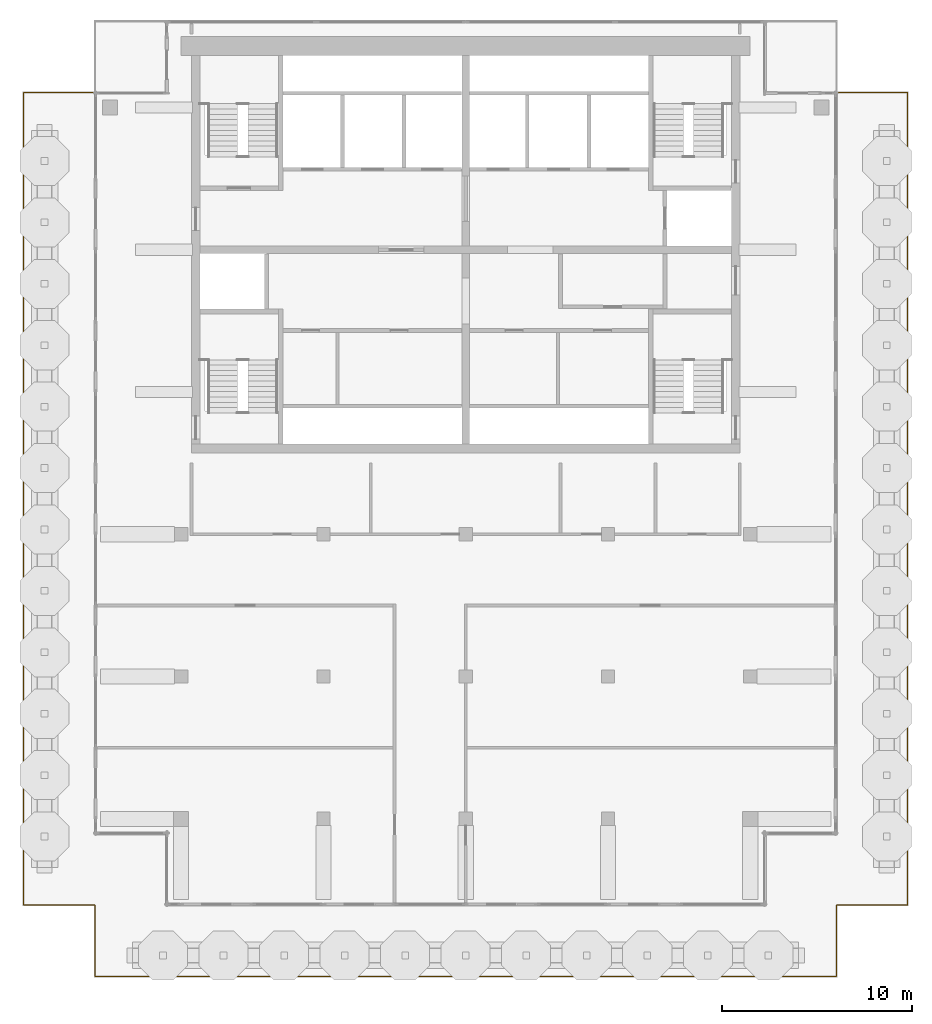
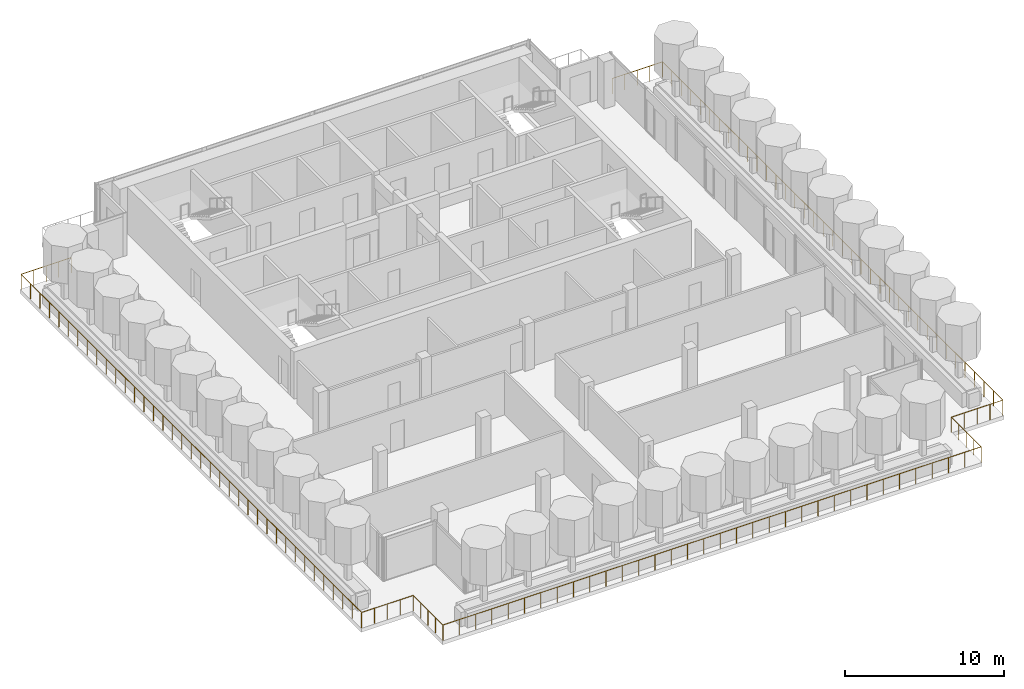
# One storey, part 13 of 15: 1 railing.
"""IFC4 building model written with IfcOpenShell, lengths in metres."""

from ifc_helpers import new_model, si_unit, direction, frame, origin, origin_2d, place, context, subcontext, project, spatial, circle, extrude, material, type_object, element, save


model = new_model("IFC4")

# Units and contexts
model_context = context("Model", 3, precision=1e-05, world=origin(), true_north=direction((0.0, 1.0)))
body_context = subcontext(model_context, "Body", "Model", "MODEL_VIEW")
ifc_project = project(units=[si_unit("LENGTHUNIT", "METRE"), si_unit("AREAUNIT", "SQUARE_METRE"), si_unit("VOLUMEUNIT", "CUBIC_METRE"), si_unit("PLANEANGLEUNIT", "RADIAN"), si_unit("MASSUNIT", "GRAM", prefix="KILO")], contexts=[model_context])

# Site, building, storey
site_placement = place(None, origin())
site = spatial("IfcSite", under=ifc_project, at=site_placement, CompositionType="ELEMENT")
building_placement = place(site_placement, origin())
building = spatial("IfcBuilding", under=site, at=building_placement, Name="Pilkhan Gate Tower", CompositionType="ELEMENT")
storey_placement = place(building_placement, frame((0.0, 0.0, 265.699951171875)))
storey = spatial("IfcBuildingStorey", under=building, at=storey_placement, Name="L69", CompositionType="ELEMENT", Elevation=265.699951171875)

# Railing
ifc_material = material(Name="Pale anodised aluminium posts, laminated glass infill", Category="aluminium")
railing_type = type_object("IfcRailingType", Name="Terrace guard G2", PredefinedType="BALUSTRADE", material=ifc_material)
railing_placement = place(storey_placement, frame((94.64990234375, 90.800048828125, 0.0)))
element("IfcRailing", 1, at=railing_placement, inside=storey, type_object=railing_type, Name="Terrace guard L69", PredefinedType="BALUSTRADE", context=body_context, shape_type="SweptSolid", body=[
    extrude(circle(Radius=0.02392578125, at=origin_2d()), frame((0.0, 0.0, 1.17578125), z_axis=(1.0, 0.0, 0.0), x_axis=(0.0, 1.0, 0.0)), (0.0, 0.0, 1.0), 3.650146484375),
    extrude(circle(Radius=0.02392578125, at=origin_2d()), frame((3.650146484375, 0.0, 1.17578125), z_axis=(0.0, -1.0, 0.0), x_axis=(1.0, 0.0, 0.0)), (0.0, 0.0, 1.0), 42.85009765625),
    extrude(circle(Radius=0.02392578125, at=origin_2d()), frame((3.650146484375, -42.85009765625, 1.17578125), z_axis=(-1.0, 0.0, 0.0), x_axis=(0.0, -1.0, 0.0)), (0.0, 0.0, 1.0), 3.75),
    extrude(circle(Radius=0.02392578125, at=origin_2d()), frame((-0.099853515625, -42.85009765625, 1.17578125), z_axis=(0.0, -1.0, 0.0), x_axis=(1.0, 0.0, 0.0)), (0.0, 0.0, 1.0), 3.75),
    extrude(circle(Radius=0.02392578125, at=origin_2d()), frame((-0.099853515625, -46.60009765625, 1.17578125), z_axis=(-1.0, 0.0, 0.0), x_axis=(0.0, -1.0, 0.0)), (0.0, 0.0, 1.0), 39.10009765625),
    extrude(circle(Radius=0.02392578125, at=origin_2d()), frame((-39.199951171875, -46.60009765625, 1.17578125), z_axis=(0.0, 1.0, 0.0), x_axis=(-1.0, 0.0, 0.0)), (0.0, 0.0, 1.0), 3.75),
    extrude(circle(Radius=0.02392578125, at=origin_2d()), frame((-39.199951171875, -42.85009765625, 1.17578125), z_axis=(-1.0, 0.0, 0.0), x_axis=(0.0, -1.0, 0.0)), (0.0, 0.0, 1.0), 3.75),
    extrude(circle(Radius=0.02392578125, at=origin_2d()), frame((-42.949951171875, -42.85009765625, 1.17578125), z_axis=(0.0, 1.0, 0.0), x_axis=(-1.0, 0.0, 0.0)), (0.0, 0.0, 1.0), 42.85009765625),
    extrude(circle(Radius=0.02392578125, at=origin_2d()), frame((-42.949951171875, 0.0, 1.17578125), z_axis=(1.0, 0.0, 0.0), x_axis=(0.0, 1.0, 0.0)), (0.0, 0.0, 1.0), 3.650146484375),
    extrude(circle(Radius=0.02099609375, at=origin_2d()), origin(), (0.0, 0.0, 1.0), 1.15185546875),
    extrude(circle(Radius=0.02099609375, at=origin_2d()), frame((0.91259765625, 0.0, 0.0)), (0.0, 0.0, 1.0), 1.15185546875),
    extrude(circle(Radius=0.02099609375, at=origin_2d()), frame((1.8251953125, 0.0, 0.0)), (0.0, 0.0, 1.0), 1.15185546875),
    extrude(circle(Radius=0.02099609375, at=origin_2d()), frame((2.737548828125, 0.0, 0.0)), (0.0, 0.0, 1.0), 1.15185546875),
    extrude(circle(Radius=0.02099609375, at=origin_2d()), frame((3.650146484375, 0.0, 0.0)), (0.0, 0.0, 1.0), 1.15185546875),
    extrude(circle(Radius=0.02099609375, at=origin_2d()), frame((3.650146484375, -1.190185546875, 0.0)), (0.0, 0.0, 1.0), 1.15185546875),
    extrude(circle(Radius=0.02099609375, at=origin_2d()), frame((3.650146484375, -2.380615234375, 0.0)), (0.0, 0.0, 1.0), 1.15185546875),
    extrude(circle(Radius=0.02099609375, at=origin_2d()), frame((3.650146484375, -3.57080078125, 0.0)), (0.0, 0.0, 1.0), 1.15185546875),
    extrude(circle(Radius=0.02099609375, at=origin_2d()), frame((3.650146484375, -4.76123046875, 0.0)), (0.0, 0.0, 1.0), 1.15185546875),
    extrude(circle(Radius=0.02099609375, at=origin_2d()), frame((3.650146484375, -5.951416015625, 0.0)), (0.0, 0.0, 1.0), 1.15185546875),
    extrude(circle(Radius=0.02099609375, at=origin_2d()), frame((3.650146484375, -7.1416015625, 0.0)), (0.0, 0.0, 1.0), 1.15185546875),
    extrude(circle(Radius=0.02099609375, at=origin_2d()), frame((3.650146484375, -8.33203125, 0.0)), (0.0, 0.0, 1.0), 1.15185546875),
    extrude(circle(Radius=0.02099609375, at=origin_2d()), frame((3.650146484375, -9.522216796875, 0.0)), (0.0, 0.0, 1.0), 1.15185546875),
    extrude(circle(Radius=0.02099609375, at=origin_2d()), frame((3.650146484375, -10.71240234375, 0.0)), (0.0, 0.0, 1.0), 1.15185546875),
    extrude(circle(Radius=0.02099609375, at=origin_2d()), frame((3.650146484375, -11.90283203125, 0.0)), (0.0, 0.0, 1.0), 1.15185546875),
    extrude(circle(Radius=0.02099609375, at=origin_2d()), frame((3.650146484375, -13.093017578125, 0.0)), (0.0, 0.0, 1.0), 1.15185546875),
    extrude(circle(Radius=0.02099609375, at=origin_2d()), frame((3.650146484375, -14.283447265625, 0.0)), (0.0, 0.0, 1.0), 1.15185546875),
    extrude(circle(Radius=0.02099609375, at=origin_2d()), frame((3.650146484375, -15.4736328125, 0.0)), (0.0, 0.0, 1.0), 1.15185546875),
    extrude(circle(Radius=0.02099609375, at=origin_2d()), frame((3.650146484375, -16.663818359375, 0.0)), (0.0, 0.0, 1.0), 1.15185546875),
    extrude(circle(Radius=0.02099609375, at=origin_2d()), frame((3.650146484375, -17.854248046875, 0.0)), (0.0, 0.0, 1.0), 1.15185546875),
    extrude(circle(Radius=0.02099609375, at=origin_2d()), frame((3.650146484375, -19.04443359375, 0.0)), (0.0, 0.0, 1.0), 1.15185546875),
    extrude(circle(Radius=0.02099609375, at=origin_2d()), frame((3.650146484375, -20.23486328125, 0.0)), (0.0, 0.0, 1.0), 1.15185546875),
    extrude(circle(Radius=0.02099609375, at=origin_2d()), frame((3.650146484375, -21.425048828125, 0.0)), (0.0, 0.0, 1.0), 1.15185546875),
    extrude(circle(Radius=0.02099609375, at=origin_2d()), frame((3.650146484375, -22.615234375, 0.0)), (0.0, 0.0, 1.0), 1.15185546875),
    extrude(circle(Radius=0.02099609375, at=origin_2d()), frame((3.650146484375, -23.8056640625, 0.0)), (0.0, 0.0, 1.0), 1.15185546875),
    extrude(circle(Radius=0.02099609375, at=origin_2d()), frame((3.650146484375, -24.995849609375, 0.0)), (0.0, 0.0, 1.0), 1.15185546875),
    extrude(circle(Radius=0.02099609375, at=origin_2d()), frame((3.650146484375, -26.186279296875, 0.0)), (0.0, 0.0, 1.0), 1.15185546875),
    extrude(circle(Radius=0.02099609375, at=origin_2d()), frame((3.650146484375, -27.37646484375, 0.0)), (0.0, 0.0, 1.0), 1.15185546875),
    extrude(circle(Radius=0.02099609375, at=origin_2d()), frame((3.650146484375, -28.566650390625, 0.0)), (0.0, 0.0, 1.0), 1.15185546875),
    extrude(circle(Radius=0.02099609375, at=origin_2d()), frame((3.650146484375, -29.757080078125, 0.0)), (0.0, 0.0, 1.0), 1.15185546875),
    extrude(circle(Radius=0.02099609375, at=origin_2d()), frame((3.650146484375, -30.947265625, 0.0)), (0.0, 0.0, 1.0), 1.15185546875),
    extrude(circle(Radius=0.02099609375, at=origin_2d()), frame((3.650146484375, -32.1376953125, 0.0)), (0.0, 0.0, 1.0), 1.15185546875),
    extrude(circle(Radius=0.02099609375, at=origin_2d()), frame((3.650146484375, -33.327880859375, 0.0)), (0.0, 0.0, 1.0), 1.15185546875),
    extrude(circle(Radius=0.02099609375, at=origin_2d()), frame((3.650146484375, -34.51806640625, 0.0)), (0.0, 0.0, 1.0), 1.15185546875),
    extrude(circle(Radius=0.02099609375, at=origin_2d()), frame((3.650146484375, -35.70849609375, 0.0)), (0.0, 0.0, 1.0), 1.15185546875),
    extrude(circle(Radius=0.02099609375, at=origin_2d()), frame((3.650146484375, -36.898681640625, 0.0)), (0.0, 0.0, 1.0), 1.15185546875),
    extrude(circle(Radius=0.02099609375, at=origin_2d()), frame((3.650146484375, -38.0888671875, 0.0)), (0.0, 0.0, 1.0), 1.15185546875),
    extrude(circle(Radius=0.02099609375, at=origin_2d()), frame((3.650146484375, -39.279296875, 0.0)), (0.0, 0.0, 1.0), 1.15185546875),
    extrude(circle(Radius=0.02099609375, at=origin_2d()), frame((3.650146484375, -40.469482421875, 0.0)), (0.0, 0.0, 1.0), 1.15185546875),
    extrude(circle(Radius=0.02099609375, at=origin_2d()), frame((3.650146484375, -41.659912109375, 0.0)), (0.0, 0.0, 1.0), 1.15185546875),
    extrude(circle(Radius=0.02099609375, at=origin_2d()), frame((3.650146484375, -42.85009765625, 0.0)), (0.0, 0.0, 1.0), 1.15185546875),
    extrude(circle(Radius=0.02099609375, at=origin_2d()), frame((2.712646484375, -42.85009765625, 0.0)), (0.0, 0.0, 1.0), 1.15185546875),
    extrude(circle(Radius=0.02099609375, at=origin_2d()), frame((1.775146484375, -42.85009765625, 0.0)), (0.0, 0.0, 1.0), 1.15185546875),
    extrude(circle(Radius=0.02099609375, at=origin_2d()), frame((0.837646484375, -42.85009765625, 0.0)), (0.0, 0.0, 1.0), 1.15185546875),
    extrude(circle(Radius=0.02099609375, at=origin_2d()), frame((-0.099853515625, -42.85009765625, 0.0)), (0.0, 0.0, 1.0), 1.15185546875),
    extrude(circle(Radius=0.02099609375, at=origin_2d()), frame((-0.099853515625, -43.78759765625, 0.0)), (0.0, 0.0, 1.0), 1.15185546875),
    extrude(circle(Radius=0.02099609375, at=origin_2d()), frame((-0.099853515625, -44.72509765625, 0.0)), (0.0, 0.0, 1.0), 1.15185546875),
    extrude(circle(Radius=0.02099609375, at=origin_2d()), frame((-0.099853515625, -45.66259765625, 0.0)), (0.0, 0.0, 1.0), 1.15185546875),
    extrude(circle(Radius=0.02099609375, at=origin_2d()), frame((-0.099853515625, -46.60009765625, 0.0)), (0.0, 0.0, 1.0), 1.15185546875),
    extrude(circle(Radius=0.02099609375, at=origin_2d()), frame((-1.28466796875, -46.60009765625, 0.0)), (0.0, 0.0, 1.0), 1.15185546875),
    extrude(circle(Radius=0.02099609375, at=origin_2d()), frame((-2.469482421875, -46.60009765625, 0.0)), (0.0, 0.0, 1.0), 1.15185546875),
    extrude(circle(Radius=0.02099609375, at=origin_2d()), frame((-3.654296875, -46.60009765625, 0.0)), (0.0, 0.0, 1.0), 1.15185546875),
    extrude(circle(Radius=0.02099609375, at=origin_2d()), frame((-4.83935546875, -46.60009765625, 0.0)), (0.0, 0.0, 1.0), 1.15185546875),
    extrude(circle(Radius=0.02099609375, at=origin_2d()), frame((-6.024169921875, -46.60009765625, 0.0)), (0.0, 0.0, 1.0), 1.15185546875),
    extrude(circle(Radius=0.02099609375, at=origin_2d()), frame((-7.208984375, -46.60009765625, 0.0)), (0.0, 0.0, 1.0), 1.15185546875),
    extrude(circle(Radius=0.02099609375, at=origin_2d()), frame((-8.393798828125, -46.60009765625, 0.0)), (0.0, 0.0, 1.0), 1.15185546875),
    extrude(circle(Radius=0.02099609375, at=origin_2d()), frame((-9.57861328125, -46.60009765625, 0.0)), (0.0, 0.0, 1.0), 1.15185546875),
    extrude(circle(Radius=0.02099609375, at=origin_2d()), frame((-10.763427734375, -46.60009765625, 0.0)), (0.0, 0.0, 1.0), 1.15185546875),
    extrude(circle(Radius=0.02099609375, at=origin_2d()), frame((-11.948486328125, -46.60009765625, 0.0)), (0.0, 0.0, 1.0), 1.15185546875),
    extrude(circle(Radius=0.02099609375, at=origin_2d()), frame((-13.13330078125, -46.60009765625, 0.0)), (0.0, 0.0, 1.0), 1.15185546875),
    extrude(circle(Radius=0.02099609375, at=origin_2d()), frame((-14.318115234375, -46.60009765625, 0.0)), (0.0, 0.0, 1.0), 1.15185546875),
    extrude(circle(Radius=0.02099609375, at=origin_2d()), frame((-15.5029296875, -46.60009765625, 0.0)), (0.0, 0.0, 1.0), 1.15185546875),
    extrude(circle(Radius=0.02099609375, at=origin_2d()), frame((-16.687744140625, -46.60009765625, 0.0)), (0.0, 0.0, 1.0), 1.15185546875),
    extrude(circle(Radius=0.02099609375, at=origin_2d()), frame((-17.87255859375, -46.60009765625, 0.0)), (0.0, 0.0, 1.0), 1.15185546875),
    extrude(circle(Radius=0.02099609375, at=origin_2d()), frame((-19.057373046875, -46.60009765625, 0.0)), (0.0, 0.0, 1.0), 1.15185546875),
    extrude(circle(Radius=0.02099609375, at=origin_2d()), frame((-20.242431640625, -46.60009765625, 0.0)), (0.0, 0.0, 1.0), 1.15185546875),
    extrude(circle(Radius=0.02099609375, at=origin_2d()), frame((-21.42724609375, -46.60009765625, 0.0)), (0.0, 0.0, 1.0), 1.15185546875),
    extrude(circle(Radius=0.02099609375, at=origin_2d()), frame((-22.612060546875, -46.60009765625, 0.0)), (0.0, 0.0, 1.0), 1.15185546875),
    extrude(circle(Radius=0.02099609375, at=origin_2d()), frame((-23.796875, -46.60009765625, 0.0)), (0.0, 0.0, 1.0), 1.15185546875),
    extrude(circle(Radius=0.02099609375, at=origin_2d()), frame((-24.981689453125, -46.60009765625, 0.0)), (0.0, 0.0, 1.0), 1.15185546875),
    extrude(circle(Radius=0.02099609375, at=origin_2d()), frame((-26.16650390625, -46.60009765625, 0.0)), (0.0, 0.0, 1.0), 1.15185546875),
    extrude(circle(Radius=0.02099609375, at=origin_2d()), frame((-27.351318359375, -46.60009765625, 0.0)), (0.0, 0.0, 1.0), 1.15185546875),
    extrude(circle(Radius=0.02099609375, at=origin_2d()), frame((-28.536376953125, -46.60009765625, 0.0)), (0.0, 0.0, 1.0), 1.15185546875),
    extrude(circle(Radius=0.02099609375, at=origin_2d()), frame((-29.72119140625, -46.60009765625, 0.0)), (0.0, 0.0, 1.0), 1.15185546875),
    extrude(circle(Radius=0.02099609375, at=origin_2d()), frame((-30.906005859375, -46.60009765625, 0.0)), (0.0, 0.0, 1.0), 1.15185546875),
    extrude(circle(Radius=0.02099609375, at=origin_2d()), frame((-32.0908203125, -46.60009765625, 0.0)), (0.0, 0.0, 1.0), 1.15185546875),
    extrude(circle(Radius=0.02099609375, at=origin_2d()), frame((-33.275634765625, -46.60009765625, 0.0)), (0.0, 0.0, 1.0), 1.15185546875),
    extrude(circle(Radius=0.02099609375, at=origin_2d()), frame((-34.46044921875, -46.60009765625, 0.0)), (0.0, 0.0, 1.0), 1.15185546875),
    extrude(circle(Radius=0.02099609375, at=origin_2d()), frame((-35.6455078125, -46.60009765625, 0.0)), (0.0, 0.0, 1.0), 1.15185546875),
    extrude(circle(Radius=0.02099609375, at=origin_2d()), frame((-36.830322265625, -46.60009765625, 0.0)), (0.0, 0.0, 1.0), 1.15185546875),
    extrude(circle(Radius=0.02099609375, at=origin_2d()), frame((-38.01513671875, -46.60009765625, 0.0)), (0.0, 0.0, 1.0), 1.15185546875),
    extrude(circle(Radius=0.02099609375, at=origin_2d()), frame((-39.199951171875, -46.60009765625, 0.0)), (0.0, 0.0, 1.0), 1.15185546875),
    extrude(circle(Radius=0.02099609375, at=origin_2d()), frame((-39.199951171875, -45.66259765625, 0.0)), (0.0, 0.0, 1.0), 1.15185546875),
    extrude(circle(Radius=0.02099609375, at=origin_2d()), frame((-39.199951171875, -44.72509765625, 0.0)), (0.0, 0.0, 1.0), 1.15185546875),
    extrude(circle(Radius=0.02099609375, at=origin_2d()), frame((-39.199951171875, -43.78759765625, 0.0)), (0.0, 0.0, 1.0), 1.15185546875),
    extrude(circle(Radius=0.02099609375, at=origin_2d()), frame((-39.199951171875, -42.85009765625, 0.0)), (0.0, 0.0, 1.0), 1.15185546875),
    extrude(circle(Radius=0.02099609375, at=origin_2d()), frame((-40.137451171875, -42.85009765625, 0.0)), (0.0, 0.0, 1.0), 1.15185546875),
    extrude(circle(Radius=0.02099609375, at=origin_2d()), frame((-41.074951171875, -42.85009765625, 0.0)), (0.0, 0.0, 1.0), 1.15185546875),
    extrude(circle(Radius=0.02099609375, at=origin_2d()), frame((-42.012451171875, -42.85009765625, 0.0)), (0.0, 0.0, 1.0), 1.15185546875),
    extrude(circle(Radius=0.02099609375, at=origin_2d()), frame((-42.949951171875, -42.85009765625, 0.0)), (0.0, 0.0, 1.0), 1.15185546875),
    extrude(circle(Radius=0.02099609375, at=origin_2d()), frame((-42.949951171875, -41.659912109375, 0.0)), (0.0, 0.0, 1.0), 1.15185546875),
    extrude(circle(Radius=0.02099609375, at=origin_2d()), frame((-42.949951171875, -40.469482421875, 0.0)), (0.0, 0.0, 1.0), 1.15185546875),
    extrude(circle(Radius=0.02099609375, at=origin_2d()), frame((-42.949951171875, -39.279296875, 0.0)), (0.0, 0.0, 1.0), 1.15185546875),
    extrude(circle(Radius=0.02099609375, at=origin_2d()), frame((-42.949951171875, -38.0888671875, 0.0)), (0.0, 0.0, 1.0), 1.15185546875),
    extrude(circle(Radius=0.02099609375, at=origin_2d()), frame((-42.949951171875, -36.898681640625, 0.0)), (0.0, 0.0, 1.0), 1.15185546875),
    extrude(circle(Radius=0.02099609375, at=origin_2d()), frame((-42.949951171875, -35.70849609375, 0.0)), (0.0, 0.0, 1.0), 1.15185546875),
    extrude(circle(Radius=0.02099609375, at=origin_2d()), frame((-42.949951171875, -34.51806640625, 0.0)), (0.0, 0.0, 1.0), 1.15185546875),
    extrude(circle(Radius=0.02099609375, at=origin_2d()), frame((-42.949951171875, -33.327880859375, 0.0)), (0.0, 0.0, 1.0), 1.15185546875),
    extrude(circle(Radius=0.02099609375, at=origin_2d()), frame((-42.949951171875, -32.1376953125, 0.0)), (0.0, 0.0, 1.0), 1.15185546875),
    extrude(circle(Radius=0.02099609375, at=origin_2d()), frame((-42.949951171875, -30.947265625, 0.0)), (0.0, 0.0, 1.0), 1.15185546875),
    extrude(circle(Radius=0.02099609375, at=origin_2d()), frame((-42.949951171875, -29.757080078125, 0.0)), (0.0, 0.0, 1.0), 1.15185546875),
    extrude(circle(Radius=0.02099609375, at=origin_2d()), frame((-42.949951171875, -28.566650390625, 0.0)), (0.0, 0.0, 1.0), 1.15185546875),
    extrude(circle(Radius=0.02099609375, at=origin_2d()), frame((-42.949951171875, -27.37646484375, 0.0)), (0.0, 0.0, 1.0), 1.15185546875),
    extrude(circle(Radius=0.02099609375, at=origin_2d()), frame((-42.949951171875, -26.186279296875, 0.0)), (0.0, 0.0, 1.0), 1.15185546875),
    extrude(circle(Radius=0.02099609375, at=origin_2d()), frame((-42.949951171875, -24.995849609375, 0.0)), (0.0, 0.0, 1.0), 1.15185546875),
    extrude(circle(Radius=0.02099609375, at=origin_2d()), frame((-42.949951171875, -23.8056640625, 0.0)), (0.0, 0.0, 1.0), 1.15185546875),
    extrude(circle(Radius=0.02099609375, at=origin_2d()), frame((-42.949951171875, -22.615234375, 0.0)), (0.0, 0.0, 1.0), 1.15185546875),
    extrude(circle(Radius=0.02099609375, at=origin_2d()), frame((-42.949951171875, -21.425048828125, 0.0)), (0.0, 0.0, 1.0), 1.15185546875),
    extrude(circle(Radius=0.02099609375, at=origin_2d()), frame((-42.949951171875, -20.23486328125, 0.0)), (0.0, 0.0, 1.0), 1.15185546875),
    extrude(circle(Radius=0.02099609375, at=origin_2d()), frame((-42.949951171875, -19.04443359375, 0.0)), (0.0, 0.0, 1.0), 1.15185546875),
    extrude(circle(Radius=0.02099609375, at=origin_2d()), frame((-42.949951171875, -17.854248046875, 0.0)), (0.0, 0.0, 1.0), 1.15185546875),
    extrude(circle(Radius=0.02099609375, at=origin_2d()), frame((-42.949951171875, -16.663818359375, 0.0)), (0.0, 0.0, 1.0), 1.15185546875),
    extrude(circle(Radius=0.02099609375, at=origin_2d()), frame((-42.949951171875, -15.4736328125, 0.0)), (0.0, 0.0, 1.0), 1.15185546875),
    extrude(circle(Radius=0.02099609375, at=origin_2d()), frame((-42.949951171875, -14.283447265625, 0.0)), (0.0, 0.0, 1.0), 1.15185546875),
    extrude(circle(Radius=0.02099609375, at=origin_2d()), frame((-42.949951171875, -13.093017578125, 0.0)), (0.0, 0.0, 1.0), 1.15185546875),
    extrude(circle(Radius=0.02099609375, at=origin_2d()), frame((-42.949951171875, -11.90283203125, 0.0)), (0.0, 0.0, 1.0), 1.15185546875),
    extrude(circle(Radius=0.02099609375, at=origin_2d()), frame((-42.949951171875, -10.71240234375, 0.0)), (0.0, 0.0, 1.0), 1.15185546875),
    extrude(circle(Radius=0.02099609375, at=origin_2d()), frame((-42.949951171875, -9.522216796875, 0.0)), (0.0, 0.0, 1.0), 1.15185546875),
    extrude(circle(Radius=0.02099609375, at=origin_2d()), frame((-42.949951171875, -8.33203125, 0.0)), (0.0, 0.0, 1.0), 1.15185546875),
    extrude(circle(Radius=0.02099609375, at=origin_2d()), frame((-42.949951171875, -7.1416015625, 0.0)), (0.0, 0.0, 1.0), 1.15185546875),
    extrude(circle(Radius=0.02099609375, at=origin_2d()), frame((-42.949951171875, -5.951416015625, 0.0)), (0.0, 0.0, 1.0), 1.15185546875),
    extrude(circle(Radius=0.02099609375, at=origin_2d()), frame((-42.949951171875, -4.76123046875, 0.0)), (0.0, 0.0, 1.0), 1.15185546875),
    extrude(circle(Radius=0.02099609375, at=origin_2d()), frame((-42.949951171875, -3.57080078125, 0.0)), (0.0, 0.0, 1.0), 1.15185546875),
    extrude(circle(Radius=0.02099609375, at=origin_2d()), frame((-42.949951171875, -2.380615234375, 0.0)), (0.0, 0.0, 1.0), 1.15185546875),
    extrude(circle(Radius=0.02099609375, at=origin_2d()), frame((-42.949951171875, -1.190185546875, 0.0)), (0.0, 0.0, 1.0), 1.15185546875),
    extrude(circle(Radius=0.02099609375, at=origin_2d()), frame((-42.949951171875, 0.0, 0.0)), (0.0, 0.0, 1.0), 1.15185546875),
    extrude(circle(Radius=0.02099609375, at=origin_2d()), frame((-42.037353515625, 0.0, 0.0)), (0.0, 0.0, 1.0), 1.15185546875),
    extrude(circle(Radius=0.02099609375, at=origin_2d()), frame((-41.125, 0.0, 0.0)), (0.0, 0.0, 1.0), 1.15185546875),
    extrude(circle(Radius=0.02099609375, at=origin_2d()), frame((-40.21240234375, 0.0, 0.0)), (0.0, 0.0, 1.0), 1.15185546875),
    extrude(circle(Radius=0.02099609375, at=origin_2d()), frame((-39.2998046875, 0.0, 0.0)), (0.0, 0.0, 1.0), 1.15185546875),
])

save(model, "model.ifc")
